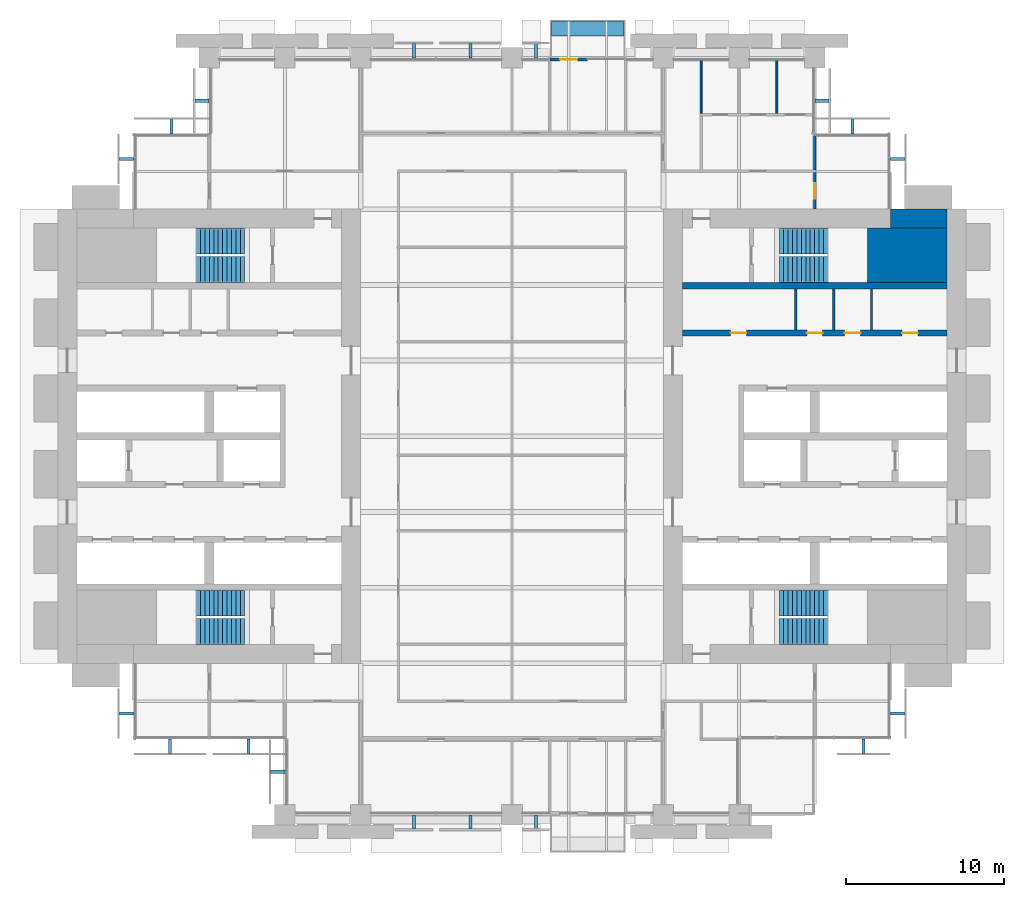
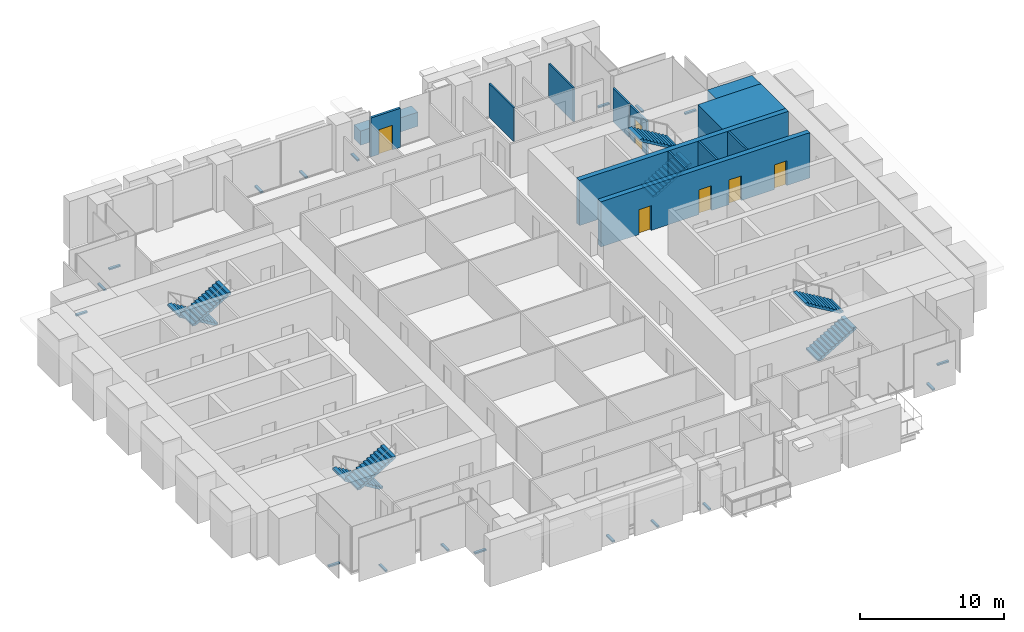
# One storey, part 13 of 15: 18 discrete accessories, 13 walls, 8 stair flights, 6 doors, 6 openings, 4 elements without a shape of their own.
"""IFC4 building model written with IfcOpenShell, lengths in metres."""

from ifc_helpers import new_model, si_unit, direction, frame, frame_2d, origin, origin_2d, place, context, subcontext, project, spatial, polyline, rectangle, outline, extrude, material, layer, layer_set, type_object, element, fill, aggregate, save


model = new_model("IFC4")

# Units and contexts
model_context = context("Model", 3, precision=1e-05, world=origin(), true_north=direction((0.0, 1.0)))
body_context = subcontext(model_context, "Body", "Model", "MODEL_VIEW")
ifc_project = project(units=[si_unit("LENGTHUNIT", "METRE"), si_unit("AREAUNIT", "SQUARE_METRE"), si_unit("VOLUMEUNIT", "CUBIC_METRE"), si_unit("PLANEANGLEUNIT", "RADIAN"), si_unit("MASSUNIT", "GRAM", prefix="KILO")], contexts=[model_context])

# Site, building, storey
site_placement = place(None, origin())
site = spatial("IfcSite", under=ifc_project, at=site_placement, CompositionType="ELEMENT")
building_placement = place(site_placement, origin())
building = spatial("IfcBuilding", under=site, at=building_placement, Name="Baori Bourse Tower", CompositionType="ELEMENT")
storey_placement = place(building_placement, frame((0.0, 0.0, 59.0)))
storey = spatial("IfcBuildingStorey", under=building, at=storey_placement, Name="L12", CompositionType="ELEMENT", Elevation=59.0)

# Walls
ifc_material_1 = material(Name="Concrete f'c 70 MPa", Category="concrete")
wall_type_1 = type_object("IfcWallType", Name="Core corner block f'c 70", PredefinedType="SHEAR", material=ifc_material_1)
wall_1_placement = place(storey_placement, frame((51.35009765625, 35.47509765625, 0.0), z_axis=(0.0, 0.0, 1.0), x_axis=(1.0, 0.0, 0.0)))
element("IfcWall", 1, at=wall_1_placement, inside=storey, type_object=wall_type_1, Name="Core wall E22", PredefinedType="SHEAR", context=body_context, shape_type="SweptSolid", body=[
    extrude(rectangle(XDim=5.0498046875, YDim=3.449951171875, at=frame_2d((2.52490234375, 0.0))), origin(), (0.0, 0.0, 1.0), 3.840087890625),
])
ifc_material_2 = material(Name="Blockwork partition", Category="masonry")
ifc_layer_1 = layer(ifc_material_2, 0.14990234375)
ifc_layer_set_1 = layer_set([ifc_layer_1], Name="Core partition 150")
wall_type_2 = type_object("IfcWallType", Name="Core partition 150", PredefinedType="PARTITIONING", material=ifc_layer_set_1)
for number, where, z_axis, x_axis, name in (
    (2, (51.60009765625, 30.75, 0.0), (0.0, 0.0, 1.0), (0.0, 1.0, 0.0), "Partition wall E18"),
    (3, (49.199951171875, 30.75, 0.0), (0.0, 0.0, 1.0), (0.0, 1.0, 0.0), "Partition wall E19"),
    (4, (46.800048828125, 30.75, 0.0), (0.0, 0.0, 1.0), (0.0, 1.0, 0.0), "Partition wall E20"),
):
    element("IfcWall", number, at=place(storey_placement, frame(where, z_axis=z_axis, x_axis=x_axis)), inside=storey, type_object=wall_type_2, Name=name, PredefinedType="PARTITIONING", context=body_context, shape_type="SweptSolid", body=[
        extrude(rectangle(XDim=2.60009765625, YDim=0.14990234375, at=frame_2d((1.300048828125, 0.0))), origin(), (0.0, 0.0, 1.0), 3.840087890625),
    ])
ifc_material_3 = material(Name="Concrete f'c 70 MPa", Category="concrete")
ifc_layer_2 = layer(ifc_material_3, 1.199951171875)
ifc_layer_set_2 = layer_set([ifc_layer_2], Name="Core wall 1200 f'c 70")
wall_type_3 = type_object("IfcWallType", Name="Core wall 1200 f'c 70", PredefinedType="SHEAR", material=ifc_layer_set_2)
wall_2_placement = place(storey_placement, frame((52.800048828125, 37.800048828125, 0.0), z_axis=(0.0, 0.0, 1.0), x_axis=(1.0, 0.0, 0.0)))
element("IfcWall", 5, at=wall_2_placement, inside=storey, type_object=wall_type_3, Name="Core wall E24", PredefinedType="SHEAR", context=body_context, shape_type="SweptSolid", body=[
    extrude(rectangle(XDim=3.599853515625, YDim=1.199951171875, at=frame_2d((1.7998046875, 0.0))), origin(), (0.0, 0.0, 1.0), 3.840087890625),
])

# Wall, opening, door
ifc_material_4 = material(Name="Gypsum board partition")
ifc_layer_3 = layer(ifc_material_4, 0.14990234375)
ifc_layer_set_3 = layer_set([ifc_layer_3], Name="Corridor partition 150")
wall_type_4 = type_object("IfcWallType", Name="Corridor partition 150", PredefinedType="PARTITIONING", material=ifc_layer_set_3)
wall_3_placement = place(storey_placement, frame((48.0, 38.39990234375, 0.0), z_axis=(0.0, 0.0, 1.0), x_axis=(0.0, 1.0, 0.0)))
wall_3 = element("IfcWall", 6, at=wall_3_placement, inside=storey, type_object=wall_type_4, Name="Partition", PredefinedType="PARTITIONING", context=body_context, shape_type="SweptSolid", body=[
    extrude(rectangle(XDim=2.3251953125, YDim=0.14990234375, at=frame_2d((1.16259765625, 0.0))), origin(), (0.0, 0.0, 1.0), 2.86962890625),
])
opening_1_placement = place(wall_3_placement, frame((0.66259765625, 0.0, 0.0)))
opening_1 = element("IfcOpeningElement", 7, at=opening_1_placement, cuts=wall_3, Name="Opening L12-D34", PredefinedType="OPENING", context=body_context, shape_type="SweptSolid", body=[
    extrude(rectangle(XDim=1.0, YDim=2.10009765625, at=frame_2d((0.5, 1.050048828125))), frame((0.0, 0.0849609375, 0.0), z_axis=(0.0, -1.0, 0.0), x_axis=(1.0, 0.0, 0.0)), (0.0, 0.0, 1.0), 0.169921875),
])
ifc_material_5 = material(Name="Timber door leaf", Category="wood")
door_type_1 = type_object("IfcDoorType", Name="Door 1000 x 2100", OperationType="SINGLE_SWING_LEFT", PredefinedType="DOOR", material=ifc_material_5)
door_1_placement = place(opening_1_placement, origin())
door_1 = element("IfcDoor", 8, at=door_1_placement, inside=storey, type_object=door_type_1, Name="Door", OperationType="SINGLE_SWING_LEFT", OverallHeight=2.10009765625, OverallWidth=1.0, PredefinedType="DOOR", context=body_context, shape_type="SweptSolid", body=[
    extrude(rectangle(XDim=1.0, YDim=2.10009765625, at=frame_2d((0.5, 1.050048828125))), frame((0.0, 0.02490234375, 0.0), z_axis=(0.0, -1.0, 0.0), x_axis=(1.0, 0.0, 0.0)), (0.0, 0.0, 1.0), 0.050048828125),
])
fill(opening_1, door_1)

# Wall
wall_4_placement = place(storey_placement, frame((48.0, 40.875, 0.0), z_axis=(0.0, 0.0, 1.0), x_axis=(0.0, 1.0, 0.0)))
element("IfcWall", 9, at=wall_4_placement, inside=storey, type_object=wall_type_4, Name="Partition", PredefinedType="PARTITIONING", context=body_context, shape_type="SweptSolid", body=[
    extrude(rectangle(XDim=2.22509765625, YDim=0.14990234375, at=frame_2d((1.112548828125, 0.0))), origin(), (0.0, 0.0, 1.0), 2.86962890625),
])

# Wall, opening, door
ifc_material_6 = material(Name="Pale anodised aluminium", Category="aluminium")
ifc_layer_4 = layer(ifc_material_6, 0.199951171875)
ifc_layer_set_4 = layer_set([ifc_layer_4], Name="EW1 External wall bay")
wall_type_5 = type_object("IfcWallType", Name="EW1 External wall bay", PredefinedType="SOLIDWALL", material=ifc_layer_set_4)
wall_5_placement = place(storey_placement, frame((33.60009765625, 47.89990234375, 0.0), z_axis=(0.0, 0.0, 1.0), x_axis=(-1.0, 0.0, 0.0)))
wall_5 = element("IfcWall", 10, at=wall_5_placement, inside=storey, type_object=wall_type_5, Name="External wall bay L12 1", PredefinedType="SOLIDWALL", context=body_context, shape_type="SweptSolid", body=[
    extrude(rectangle(XDim=2.400146484375, YDim=0.199951171875, at=frame_2d((1.2001953125, 0.0))), origin(), (0.0, 0.0, 1.0), 3.314208984375),
])
opening_2_placement = place(wall_5_placement, frame((0.64990234375, 0.0, 0.0)))
opening_2 = element("IfcOpeningElement", 11, at=opening_2_placement, cuts=wall_5, Name="Opening L12-D91", PredefinedType="OPENING", context=body_context, shape_type="SweptSolid", body=[
    extrude(rectangle(XDim=1.10009765625, YDim=2.10009765625, at=frame_2d((0.550048828125, 1.050048828125))), frame((0.0, 0.10986328125, 0.0), z_axis=(0.0, -1.0, 0.0), x_axis=(1.0, 0.0, 0.0)), (0.0, 0.0, 1.0), 0.219970703125),
])
ifc_material_7 = material(Name="Pale anodised aluminium", Category="aluminium")
door_type_2 = type_object("IfcDoorType", Name="BL1 Balcony door", OperationType="SINGLE_SWING_LEFT", PredefinedType="DOOR", material=ifc_material_7)
door_2_placement = place(opening_2_placement, origin())
door_2 = element("IfcDoor", 12, at=door_2_placement, inside=storey, type_object=door_type_2, Name="Balcony door L12 1", OperationType="SINGLE_SWING_LEFT", OverallHeight=2.10009765625, OverallWidth=1.10009765625, PredefinedType="DOOR", context=body_context, shape_type="SweptSolid", body=[
    extrude(rectangle(XDim=1.10009765625, YDim=2.10009765625, at=frame_2d((0.550048828125, 1.050048828125))), frame((0.0, 0.02490234375, 0.0), z_axis=(0.0, -1.0, 0.0), x_axis=(1.0, 0.0, 0.0)), (0.0, 0.0, 1.0), 0.050048828125),
])
fill(opening_2, door_2)

# Walls
ifc_material_8 = material(Name="Concrete f'c 40 MPa", Category="concrete")
ifc_layer_5 = layer(ifc_material_8, 0.89990234375)
ifc_layer_set_5 = layer_set([ifc_layer_5], Name="PW1 Planter wall")
wall_type_6 = type_object("IfcWallType", Name="PW1 Planter wall", PredefinedType="USERDEFINED", material=ifc_layer_set_5)
wall_6_placement = place(storey_placement, frame((31.300048828125, 49.85009765625, 0.0), z_axis=(0.0, 0.0, 1.0), x_axis=(1.0, 0.0, 0.0)))
element("IfcWall", 13, at=wall_6_placement, inside=storey, type_object=wall_type_6, Name="Planter balcony N L12 2", ObjectType="PLANTER", PredefinedType="USERDEFINED", context=body_context, shape_type="SweptSolid", body=[
    extrude(rectangle(XDim=4.599853515625, YDim=0.89990234375, at=frame_2d((2.2998046875, 0.0))), origin(), (0.0, 0.0, 1.0), 1.199951171875),
])
ifc_material_9 = material(Name="Gypsum board partition")
ifc_layer_6 = layer(ifc_material_9, 0.125)
ifc_layer_set_6 = layer_set([ifc_layer_6], Name="Partition 125")
wall_type_7 = type_object("IfcWallType", Name="Partition 125", PredefinedType="PARTITIONING", material=ifc_layer_set_6)
for number, where, z_axis, x_axis, name in (
    (14, (40.800048828125, 44.47509765625, 0.0), (0.0, 0.0, 1.0), (0.0, 1.0, 0.0), "Partition"),
    (15, (45.60009765625, 44.47509765625, 0.0), (0.0, 0.0, 1.0), (0.0, 1.0, 0.0), "Partition"),
):
    element("IfcWall", number, at=place(storey_placement, frame(where, z_axis=z_axis, x_axis=x_axis)), inside=storey, type_object=wall_type_7, Name=name, PredefinedType="PARTITIONING", context=body_context, shape_type="SweptSolid", body=[
        extrude(rectangle(XDim=3.4248046875, YDim=0.125, at=frame_2d((1.71240234375, 0.0))), origin(), (0.0, 0.0, 1.0), 2.86962890625),
    ])

# Wall, openings, doors
ifc_material_10 = material(Name="Concrete f'c 70 MPa", Category="concrete")
ifc_layer_7 = layer(ifc_material_10, 0.39990234375)
ifc_layer_set_7 = layer_set([ifc_layer_7], Name="Shaft wall 400 f'c 70")
wall_type_8 = type_object("IfcWallType", Name="Shaft wall 400 f'c 70", PredefinedType="SHEAR", material=ifc_layer_set_7)
wall_7_placement = place(storey_placement, frame((39.60009765625, 30.550048828125, 0.0), z_axis=(0.0, 0.0, 1.0), x_axis=(1.0, 0.0, 0.0)))
wall_7 = element("IfcWall", 16, at=wall_7_placement, inside=storey, type_object=wall_type_8, Name="Core wall E17", PredefinedType="SHEAR", context=body_context, shape_type="SweptSolid", body=[
    extrude(rectangle(XDim=16.7998046875, YDim=0.39990234375, at=frame_2d((8.39990234375, 0.0))), origin(), (0.0, 0.0, 1.0), 3.840087890625),
])
opening_3_placement = place(wall_7_placement, frame((13.9375, 0.0, 0.0)))
opening_3 = element("IfcOpeningElement", 17, at=opening_3_placement, cuts=wall_7, Name="Opening L12-D209", PredefinedType="OPENING", context=body_context, shape_type="SweptSolid", body=[
    extrude(rectangle(XDim=1.0, YDim=2.10009765625, at=frame_2d((0.5, 1.050048828125))), frame((0.0, 0.2099609375, 0.0), z_axis=(0.0, -1.0, 0.0), x_axis=(1.0, 0.0, 0.0)), (0.0, 0.0, 1.0), 0.419921875),
])
opening_4_placement = place(wall_7_placement, frame((10.300048828125, 0.0, 0.0)))
opening_4 = element("IfcOpeningElement", 18, at=opening_4_placement, cuts=wall_7, Name="Opening L12-D210", PredefinedType="OPENING", context=body_context, shape_type="SweptSolid", body=[
    extrude(rectangle(XDim=1.0, YDim=2.10009765625, at=frame_2d((0.5, 1.050048828125))), frame((0.0, 0.2099609375, 0.0), z_axis=(0.0, -1.0, 0.0), x_axis=(1.0, 0.0, 0.0)), (0.0, 0.0, 1.0), 0.419921875),
])
opening_5_placement = place(wall_7_placement, frame((7.89990234375, 0.0, 0.0)))
opening_5 = element("IfcOpeningElement", 19, at=opening_5_placement, cuts=wall_7, Name="Opening L12-D211", PredefinedType="OPENING", context=body_context, shape_type="SweptSolid", body=[
    extrude(rectangle(XDim=1.0, YDim=2.10009765625, at=frame_2d((0.5, 1.050048828125))), frame((0.0, 0.2099609375, 0.0), z_axis=(0.0, -1.0, 0.0), x_axis=(1.0, 0.0, 0.0)), (0.0, 0.0, 1.0), 0.419921875),
])
opening_6_placement = place(wall_7_placement, frame((3.0625, 0.0, 0.0)))
opening_6 = element("IfcOpeningElement", 20, at=opening_6_placement, cuts=wall_7, Name="Opening L12-D212", PredefinedType="OPENING", context=body_context, shape_type="SweptSolid", body=[
    extrude(rectangle(XDim=1.0, YDim=2.10009765625, at=frame_2d((0.5, 1.050048828125))), frame((0.0, 0.2099609375, 0.0), z_axis=(0.0, -1.0, 0.0), x_axis=(1.0, 0.0, 0.0)), (0.0, 0.0, 1.0), 0.419921875),
])
ifc_material_11 = material(Name="Painted steel door", Category="steel")
door_type_3 = type_object("IfcDoorType", Name="Core door 1000", OperationType="SINGLE_SWING_LEFT", PredefinedType="DOOR", material=ifc_material_11)
door_3_placement = place(opening_3_placement, origin())
door_3 = element("IfcDoor", 21, at=door_3_placement, inside=storey, type_object=door_type_3, Name="Women'S Wc door E L12", OperationType="SINGLE_SWING_LEFT", OverallHeight=2.10009765625, OverallWidth=1.0, PredefinedType="DOOR", context=body_context, shape_type="SweptSolid", body=[
    extrude(rectangle(XDim=1.0, YDim=2.10009765625, at=frame_2d((0.5, 1.050048828125))), frame((0.0, 0.02490234375, 0.0), z_axis=(0.0, -1.0, 0.0), x_axis=(1.0, 0.0, 0.0)), (0.0, 0.0, 1.0), 0.050048828125),
])
fill(opening_3, door_3)
door_4_placement = place(opening_4_placement, origin())
door_4 = element("IfcDoor", 22, at=door_4_placement, inside=storey, type_object=door_type_3, Name="Accessible Wc door E L12", OperationType="SINGLE_SWING_LEFT", OverallHeight=2.10009765625, OverallWidth=1.0, PredefinedType="DOOR", context=body_context, shape_type="SweptSolid", body=[
    extrude(rectangle(XDim=1.0, YDim=2.10009765625, at=frame_2d((0.5, 1.050048828125))), frame((0.0, 0.02490234375, 0.0), z_axis=(0.0, -1.0, 0.0), x_axis=(1.0, 0.0, 0.0)), (0.0, 0.0, 1.0), 0.050048828125),
])
fill(opening_4, door_4)
door_5_placement = place(opening_6_placement, origin())
door_5 = element("IfcDoor", 23, at=door_5_placement, inside=storey, type_object=door_type_3, Name="Men'S Wc door E L12", OperationType="SINGLE_SWING_LEFT", OverallHeight=2.10009765625, OverallWidth=1.0, PredefinedType="DOOR", context=body_context, shape_type="SweptSolid", body=[
    extrude(rectangle(XDim=1.0, YDim=2.10009765625, at=frame_2d((0.5, 1.050048828125))), frame((0.0, 0.02490234375, 0.0), z_axis=(0.0, -1.0, 0.0), x_axis=(1.0, 0.0, 0.0)), (0.0, 0.0, 1.0), 0.050048828125),
])
fill(opening_6, door_5)
ifc_material_12 = material(Name="Painted steel door", Category="steel")
door_type_4 = type_object("IfcDoorType", Name="Plant room door 1000", OperationType="SINGLE_SWING_LEFT", PredefinedType="DOOR", material=ifc_material_12)
door_6_placement = place(opening_5_placement, origin())
door_6 = element("IfcDoor", 24, at=door_6_placement, inside=storey, type_object=door_type_4, Name="Plumbing Equipment Room door E L12", OperationType="SINGLE_SWING_LEFT", OverallHeight=2.10009765625, OverallWidth=1.0, PredefinedType="DOOR", context=body_context, shape_type="SweptSolid", body=[
    extrude(rectangle(XDim=1.0, YDim=2.10009765625, at=frame_2d((0.5, 1.050048828125))), frame((0.0, 0.02490234375, 0.0), z_axis=(0.0, -1.0, 0.0), x_axis=(1.0, 0.0, 0.0)), (0.0, 0.0, 1.0), 0.050048828125),
])
fill(opening_5, door_6)

# Wall
wall_8_placement = place(storey_placement, frame((39.60009765625, 33.550048828125, 0.0), z_axis=(0.0, 0.0, 1.0), x_axis=(1.0, 0.0, 0.0)))
element("IfcWall", 25, at=wall_8_placement, inside=storey, type_object=wall_type_8, Name="Core wall E21", PredefinedType="SHEAR", context=body_context, shape_type="SweptSolid", body=[
    extrude(rectangle(XDim=16.7998046875, YDim=0.39990234375, at=frame_2d((8.39990234375, 0.0))), origin(), (0.0, 0.0, 1.0), 3.840087890625),
])

# Stair, stair flights
ifc_material_13 = material(Name="Concrete f'c 50 MPa", Category="concrete")
stair_type = type_object("IfcStairType", Name="Core stair", PredefinedType="HALF_TURN_STAIR", material=ifc_material_13)
stair_1_placement = place(storey_placement, origin())
stair_1 = element("IfcStair", 26, at=stair_1_placement, inside=storey, type_object=stair_type, Name="L12 Stair WA", PredefinedType="HALF_TURN_STAIR")
ifc_material_14 = material(Name="Concrete f'c 50 MPa", Category="concrete")
stair_flight_type = type_object("IfcStairFlightType", Name="Core stair flight", PredefinedType="STRAIGHT", material=ifc_material_14)
stair_flight_1_placement = place(storey_placement, frame((11.85009765625, 13.425048828125, 0.0), z_axis=(0.0, 0.0, 1.0), x_axis=(-1.0, 0.0, 0.0)))
stair_flight_1 = element("IfcStairFlight", 27, at=stair_flight_1_placement, type_object=stair_flight_type, Name="ST1 flight 1", NumberOfRisers=12, NumberOfTreads=11, PredefinedType="STRAIGHT", RiserHeight=0.166666667, TreadLength=0.28, context=body_context, shape_type="SweptSolid", body=[
    extrude(outline(polyline([(0.0, 0.0), (0.0, 0.166748046875), (0.280029296875, 0.166748046875), (0.280029296875, 0.333251953125), (0.56005859375, 0.333251953125), (0.56005859375, 0.5), (0.840087890625, 0.5), (0.840087890625, 0.666748046875), (1.1201171875, 0.666748046875), (1.1201171875, 0.833251953125), (1.39990234375, 0.833251953125), (1.39990234375, 1.0), (1.679931640625, 1.0), (1.679931640625, 1.166748046875), (1.9599609375, 1.166748046875), (1.9599609375, 1.333251953125), (2.239990234375, 1.333251953125), (2.239990234375, 1.5), (2.52001953125, 1.5), (2.52001953125, 1.666748046875), (2.800048828125, 1.666748046875), (2.800048828125, 1.833251953125), (3.080078125, 1.833251953125), (3.080078125, 2.0), (3.080078125, 1.658935546875), (0.29296875, 0.0), (0.0, 0.0)])), frame((0.0, 0.824951171875, 0.0), z_axis=(0.0, -1.0, 0.0), x_axis=(1.0, 0.0, 0.0)), (0.0, 0.0, 1.0), 1.64990234375),
])
stair_flight_2_placement = place(storey_placement, frame((8.77001953125, 11.625, 2.0), z_axis=(0.0, 0.0, 1.0), x_axis=(1.0, 0.0, 0.0)))
stair_flight_2 = element("IfcStairFlight", 28, at=stair_flight_2_placement, type_object=stair_flight_type, Name="ST1 flight 2", NumberOfRisers=12, NumberOfTreads=11, PredefinedType="STRAIGHT", RiserHeight=0.166666667, TreadLength=0.28, context=body_context, shape_type="SweptSolid", body=[
    extrude(outline(polyline([(0.0, 0.0), (0.0, 0.166748046875), (0.280029296875, 0.166748046875), (0.280029296875, 0.333251953125), (0.56005859375, 0.333251953125), (0.56005859375, 0.5), (0.840087890625, 0.5), (0.840087890625, 0.666748046875), (1.1201171875, 0.666748046875), (1.1201171875, 0.833251953125), (1.39990234375, 0.833251953125), (1.39990234375, 1.0), (1.679931640625, 1.0), (1.679931640625, 1.166748046875), (1.9599609375, 1.166748046875), (1.9599609375, 1.333251953125), (2.239990234375, 1.333251953125), (2.239990234375, 1.5), (2.52001953125, 1.5), (2.52001953125, 1.666748046875), (2.800048828125, 1.666748046875), (2.800048828125, 1.833251953125), (3.080078125, 1.833251953125), (3.080078125, 2.0), (3.080078125, 1.658935546875), (0.29296875, 0.0), (0.0, 0.0)])), frame((0.0, 0.824951171875, 0.0), z_axis=(0.0, -1.0, 0.0), x_axis=(1.0, 0.0, 0.0)), (0.0, 0.0, 1.0), 1.64990234375),
])
aggregate(stair_1, [stair_flight_1, stair_flight_2])

stair_2_placement = place(storey_placement, origin())
stair_2 = element("IfcStair", 29, at=stair_2_placement, inside=storey, type_object=stair_type, Name="L12 Stair WB", PredefinedType="HALF_TURN_STAIR")
stair_flight_3_placement = place(storey_placement, frame((11.85009765625, 36.375, 0.0), z_axis=(0.0, 0.0, 1.0), x_axis=(-1.0, 0.0, 0.0)))
stair_flight_3 = element("IfcStairFlight", 30, at=stair_flight_3_placement, type_object=stair_flight_type, Name="ST2 flight 1", NumberOfRisers=12, NumberOfTreads=11, PredefinedType="STRAIGHT", RiserHeight=0.166666667, TreadLength=0.28, context=body_context, shape_type="SweptSolid", body=[
    extrude(outline(polyline([(0.0, 0.0), (0.0, 0.166748046875), (0.280029296875, 0.166748046875), (0.280029296875, 0.333251953125), (0.56005859375, 0.333251953125), (0.56005859375, 0.5), (0.840087890625, 0.5), (0.840087890625, 0.666748046875), (1.1201171875, 0.666748046875), (1.1201171875, 0.833251953125), (1.39990234375, 0.833251953125), (1.39990234375, 1.0), (1.679931640625, 1.0), (1.679931640625, 1.166748046875), (1.9599609375, 1.166748046875), (1.9599609375, 1.333251953125), (2.239990234375, 1.333251953125), (2.239990234375, 1.5), (2.52001953125, 1.5), (2.52001953125, 1.666748046875), (2.800048828125, 1.666748046875), (2.800048828125, 1.833251953125), (3.080078125, 1.833251953125), (3.080078125, 2.0), (3.080078125, 1.658935546875), (0.29296875, 0.0), (0.0, 0.0)])), frame((0.0, 0.824951171875, 0.0), z_axis=(0.0, -1.0, 0.0), x_axis=(1.0, 0.0, 0.0)), (0.0, 0.0, 1.0), 1.64990234375),
])
stair_flight_4_placement = place(storey_placement, frame((8.77001953125, 34.574951171875, 2.0), z_axis=(0.0, 0.0, 1.0), x_axis=(1.0, 0.0, 0.0)))
stair_flight_4 = element("IfcStairFlight", 31, at=stair_flight_4_placement, type_object=stair_flight_type, Name="ST2 flight 2", NumberOfRisers=12, NumberOfTreads=11, PredefinedType="STRAIGHT", RiserHeight=0.166666667, TreadLength=0.28, context=body_context, shape_type="SweptSolid", body=[
    extrude(outline(polyline([(0.0, 0.0), (0.0, 0.166748046875), (0.280029296875, 0.166748046875), (0.280029296875, 0.333251953125), (0.56005859375, 0.333251953125), (0.56005859375, 0.5), (0.840087890625, 0.5), (0.840087890625, 0.666748046875), (1.1201171875, 0.666748046875), (1.1201171875, 0.833251953125), (1.39990234375, 0.833251953125), (1.39990234375, 1.0), (1.679931640625, 1.0), (1.679931640625, 1.166748046875), (1.9599609375, 1.166748046875), (1.9599609375, 1.333251953125), (2.239990234375, 1.333251953125), (2.239990234375, 1.5), (2.52001953125, 1.5), (2.52001953125, 1.666748046875), (2.800048828125, 1.666748046875), (2.800048828125, 1.833251953125), (3.080078125, 1.833251953125), (3.080078125, 2.0), (3.080078125, 1.658935546875), (0.29296875, 0.0), (0.0, 0.0)])), frame((0.0, 0.824951171875, 0.0), z_axis=(0.0, -1.0, 0.0), x_axis=(1.0, 0.0, 0.0)), (0.0, 0.0, 1.0), 1.64990234375),
])
aggregate(stair_2, [stair_flight_3, stair_flight_4])

stair_3_placement = place(storey_placement, origin())
stair_3 = element("IfcStair", 32, at=stair_3_placement, inside=storey, type_object=stair_type, Name="L12 Stair EA", PredefinedType="HALF_TURN_STAIR")
stair_flight_5_placement = place(storey_placement, frame((45.75, 11.625, 0.0), z_axis=(0.0, 0.0, 1.0), x_axis=(1.0, 0.0, 0.0)))
stair_flight_5 = element("IfcStairFlight", 33, at=stair_flight_5_placement, type_object=stair_flight_type, Name="ST3 flight 1", NumberOfRisers=12, NumberOfTreads=11, PredefinedType="STRAIGHT", RiserHeight=0.166666667, TreadLength=0.28, context=body_context, shape_type="SweptSolid", body=[
    extrude(outline(polyline([(0.0, 0.0), (0.0, 0.166748046875), (0.280029296875, 0.166748046875), (0.280029296875, 0.333251953125), (0.56005859375, 0.333251953125), (0.56005859375, 0.5), (0.840087890625, 0.5), (0.840087890625, 0.666748046875), (1.1201171875, 0.666748046875), (1.1201171875, 0.833251953125), (1.39990234375, 0.833251953125), (1.39990234375, 1.0), (1.679931640625, 1.0), (1.679931640625, 1.166748046875), (1.9599609375, 1.166748046875), (1.9599609375, 1.333251953125), (2.239990234375, 1.333251953125), (2.239990234375, 1.5), (2.52001953125, 1.5), (2.52001953125, 1.666748046875), (2.800048828125, 1.666748046875), (2.800048828125, 1.833251953125), (3.080078125, 1.833251953125), (3.080078125, 2.0), (3.080078125, 1.658935546875), (0.29296875, 0.0), (0.0, 0.0)])), frame((0.0, 0.824951171875, 0.0), z_axis=(0.0, -1.0, 0.0), x_axis=(1.0, 0.0, 0.0)), (0.0, 0.0, 1.0), 1.64990234375),
])
stair_flight_6_placement = place(storey_placement, frame((48.830078125, 13.425048828125, 2.0), z_axis=(0.0, 0.0, 1.0), x_axis=(-1.0, 0.0, 0.0)))
stair_flight_6 = element("IfcStairFlight", 34, at=stair_flight_6_placement, type_object=stair_flight_type, Name="ST3 flight 2", NumberOfRisers=12, NumberOfTreads=11, PredefinedType="STRAIGHT", RiserHeight=0.166666667, TreadLength=0.28, context=body_context, shape_type="SweptSolid", body=[
    extrude(outline(polyline([(0.0, 0.0), (0.0, 0.166748046875), (0.280029296875, 0.166748046875), (0.280029296875, 0.333251953125), (0.56005859375, 0.333251953125), (0.56005859375, 0.5), (0.840087890625, 0.5), (0.840087890625, 0.666748046875), (1.1201171875, 0.666748046875), (1.1201171875, 0.833251953125), (1.39990234375, 0.833251953125), (1.39990234375, 1.0), (1.679931640625, 1.0), (1.679931640625, 1.166748046875), (1.9599609375, 1.166748046875), (1.9599609375, 1.333251953125), (2.239990234375, 1.333251953125), (2.239990234375, 1.5), (2.52001953125, 1.5), (2.52001953125, 1.666748046875), (2.800048828125, 1.666748046875), (2.800048828125, 1.833251953125), (3.080078125, 1.833251953125), (3.080078125, 2.0), (3.080078125, 1.658935546875), (0.29296875, 0.0), (0.0, 0.0)])), frame((0.0, 0.824951171875, 0.0), z_axis=(0.0, -1.0, 0.0), x_axis=(1.0, 0.0, 0.0)), (0.0, 0.0, 1.0), 1.64990234375),
])
aggregate(stair_3, [stair_flight_5, stair_flight_6])

stair_4_placement = place(storey_placement, origin())
stair_4 = element("IfcStair", 35, at=stair_4_placement, inside=storey, type_object=stair_type, Name="L12 Stair EB", PredefinedType="HALF_TURN_STAIR")
stair_flight_7_placement = place(storey_placement, frame((45.75, 34.574951171875, 0.0), z_axis=(0.0, 0.0, 1.0), x_axis=(1.0, 0.0, 0.0)))
stair_flight_7 = element("IfcStairFlight", 36, at=stair_flight_7_placement, type_object=stair_flight_type, Name="ST4 flight 1", NumberOfRisers=12, NumberOfTreads=11, PredefinedType="STRAIGHT", RiserHeight=0.166666667, TreadLength=0.28, context=body_context, shape_type="SweptSolid", body=[
    extrude(outline(polyline([(0.0, 0.0), (0.0, 0.166748046875), (0.280029296875, 0.166748046875), (0.280029296875, 0.333251953125), (0.56005859375, 0.333251953125), (0.56005859375, 0.5), (0.840087890625, 0.5), (0.840087890625, 0.666748046875), (1.1201171875, 0.666748046875), (1.1201171875, 0.833251953125), (1.39990234375, 0.833251953125), (1.39990234375, 1.0), (1.679931640625, 1.0), (1.679931640625, 1.166748046875), (1.9599609375, 1.166748046875), (1.9599609375, 1.333251953125), (2.239990234375, 1.333251953125), (2.239990234375, 1.5), (2.52001953125, 1.5), (2.52001953125, 1.666748046875), (2.800048828125, 1.666748046875), (2.800048828125, 1.833251953125), (3.080078125, 1.833251953125), (3.080078125, 2.0), (3.080078125, 1.658935546875), (0.29296875, 0.0), (0.0, 0.0)])), frame((0.0, 0.824951171875, 0.0), z_axis=(0.0, -1.0, 0.0), x_axis=(1.0, 0.0, 0.0)), (0.0, 0.0, 1.0), 1.64990234375),
])
stair_flight_8_placement = place(storey_placement, frame((48.830078125, 36.375, 2.0), z_axis=(0.0, 0.0, 1.0), x_axis=(-1.0, 0.0, 0.0)))
stair_flight_8 = element("IfcStairFlight", 37, at=stair_flight_8_placement, type_object=stair_flight_type, Name="ST4 flight 2", NumberOfRisers=12, NumberOfTreads=11, PredefinedType="STRAIGHT", RiserHeight=0.166666667, TreadLength=0.28, context=body_context, shape_type="SweptSolid", body=[
    extrude(outline(polyline([(0.0, 0.0), (0.0, 0.166748046875), (0.280029296875, 0.166748046875), (0.280029296875, 0.333251953125), (0.56005859375, 0.333251953125), (0.56005859375, 0.5), (0.840087890625, 0.5), (0.840087890625, 0.666748046875), (1.1201171875, 0.666748046875), (1.1201171875, 0.833251953125), (1.39990234375, 0.833251953125), (1.39990234375, 1.0), (1.679931640625, 1.0), (1.679931640625, 1.166748046875), (1.9599609375, 1.166748046875), (1.9599609375, 1.333251953125), (2.239990234375, 1.333251953125), (2.239990234375, 1.5), (2.52001953125, 1.5), (2.52001953125, 1.666748046875), (2.800048828125, 1.666748046875), (2.800048828125, 1.833251953125), (3.080078125, 1.833251953125), (3.080078125, 2.0), (3.080078125, 1.658935546875), (0.29296875, 0.0), (0.0, 0.0)])), frame((0.0, 0.824951171875, 0.0), z_axis=(0.0, -1.0, 0.0), x_axis=(1.0, 0.0, 0.0)), (0.0, 0.0, 1.0), 1.64990234375),
])
aggregate(stair_4, [stair_flight_7, stair_flight_8])

# Discrete accessories
ifc_material_15 = material(Name="Pale anodised aluminium", Category="aluminium")
discrete_accessory_type = type_object("IfcDiscreteAccessoryType", Name="OS2 Outer skin bracket", PredefinedType="BRACKET", material=ifc_material_15)
for number, where, z_axis, x_axis, name in (
    (38, (53.25, 41.574951171875, -0.14404296875), (0.0, 0.0, 1.0), (0.0, 1.0, 0.0), "Outer skin bracket L12 1"),
    (39, (50.39990234375, 43.64990234375, -0.14404296875), (0.0, 0.0, 1.0), (-1.0, 0.0, 0.0), "Outer skin bracket L12 2"),
    (40, (48.449951171875, 45.27490234375, -0.14404296875), (0.0, 0.0, 1.0), (0.0, 1.0, 0.0), "Outer skin bracket L12 3"),
    (41, (30.324951171875, 48.449951171875, -0.14404296875), (0.0, 0.0, 1.0), (-1.0, 0.0, 0.0), "Outer skin bracket L12 4"),
    (42, (26.16259765625, 48.449951171875, -0.14404296875), (0.0, 0.0, 1.0), (-1.0, 0.0, 0.0), "Outer skin bracket L12 5"),
    (43, (22.58740234375, 48.449951171875, -0.14404296875), (0.0, 0.0, 1.0), (-1.0, 0.0, 0.0), "Outer skin bracket L12 6"),
    (44, (9.14990234375, 45.27490234375, -0.14404296875), (0.0, 0.0, 1.0), (0.0, -1.0, 0.0), "Outer skin bracket L12 7"),
    (45, (7.199951171875, 43.64990234375, -0.14404296875), (0.0, 0.0, 1.0), (-1.0, 0.0, 0.0), "Outer skin bracket L12 8"),
    (46, (4.35009765625, 41.574951171875, -0.14404296875), (0.0, 0.0, 1.0), (0.0, -1.0, 0.0), "Outer skin bracket L12 9"),
    (47, (4.35009765625, 6.425048828125, -0.14404296875), (0.0, 0.0, 1.0), (0.0, -1.0, 0.0), "Outer skin bracket L12 10"),
    (48, (7.112548828125, 4.35009765625, -0.14404296875), (0.0, 0.0, 1.0), (1.0, 0.0, 0.0), "Outer skin bracket L12 11"),
    (49, (12.08740234375, 4.35009765625, -0.14404296875), (0.0, 0.0, 1.0), (1.0, 0.0, 0.0), "Outer skin bracket L12 12"),
    (50, (13.949951171875, 2.72509765625, -0.14404296875), (0.0, 0.0, 1.0), (0.0, -1.0, 0.0), "Outer skin bracket L12 13"),
    (51, (22.58740234375, -0.449951171875, -0.14404296875), (0.0, 0.0, 1.0), (1.0, 0.0, 0.0), "Outer skin bracket L12 14"),
    (52, (26.16259765625, -0.449951171875, -0.14404296875), (0.0, 0.0, 1.0), (1.0, 0.0, 0.0), "Outer skin bracket L12 15"),
    (53, (30.324951171875, -0.449951171875, -0.14404296875), (0.0, 0.0, 1.0), (1.0, 0.0, 0.0), "Outer skin bracket L12 16"),
    (54, (51.08740234375, 4.35009765625, -0.14404296875), (0.0, 0.0, 1.0), (1.0, 0.0, 0.0), "Outer skin bracket L12 17"),
    (55, (53.25, 6.425048828125, -0.14404296875), (0.0, 0.0, 1.0), (0.0, 1.0, 0.0), "Outer skin bracket L12 18"),
):
    element("IfcDiscreteAccessory", number, at=place(storey_placement, frame(where, z_axis=z_axis, x_axis=x_axis)), inside=storey, type_object=discrete_accessory_type, Name=name, PredefinedType="BRACKET", context=body_context, shape_type="SweptSolid", body=[
        extrude(rectangle(XDim=0.199951171875, YDim=0.89990234375, at=origin_2d()), origin(), (0.0, 0.0, 1.0), 0.1279296875),
    ])

save(model, "model.ifc")
